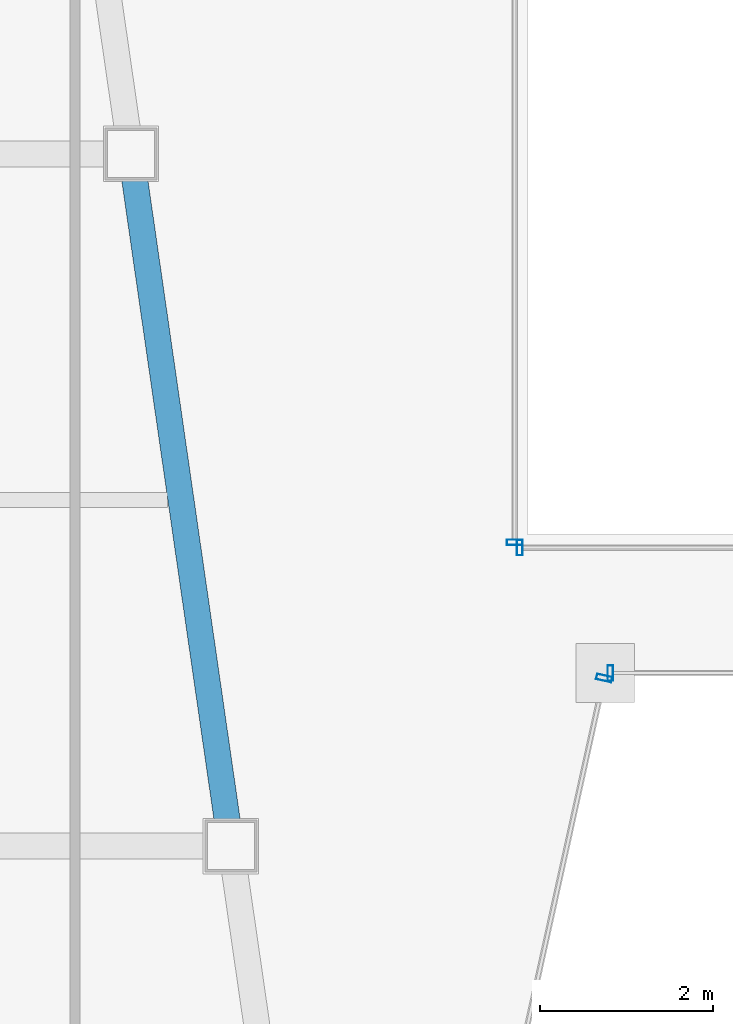
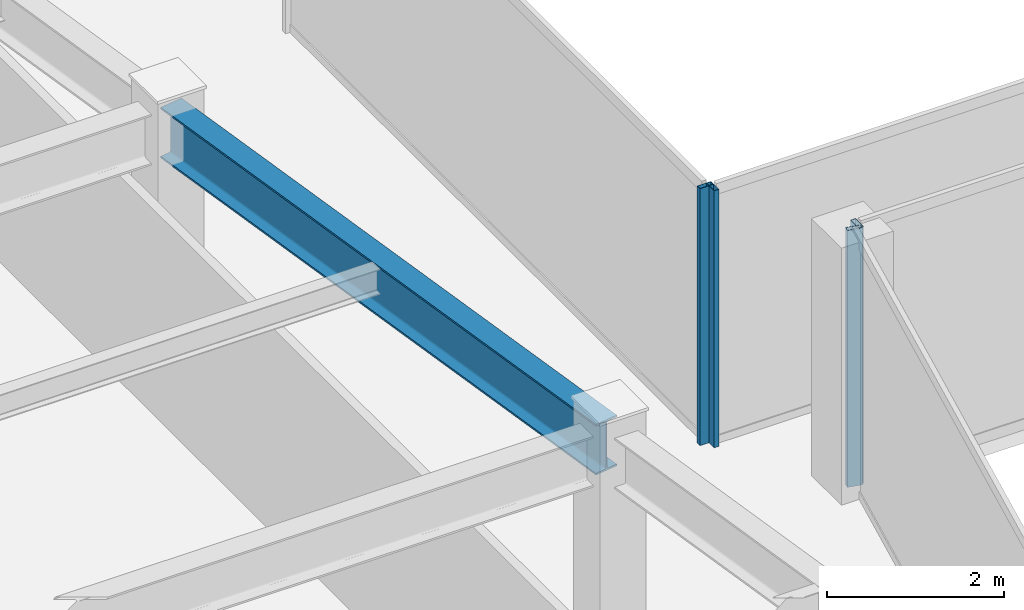
# One storey, part 6 of 35: 4 members, 1 beam, 4 elements without a shape of their own.
"""IFC4 building model written with IfcOpenShell, lengths in metres."""

import ifcopenshell
import ifcopenshell.guid

model = None  # the IFC model being written
_history = None  # IfcOwnerHistory: only IFC2X3 demands one
_inside = {}  # id of a spatial element -> (the spatial element, [elements in it])
_under = {}  # id of a project, library or spatial element -> (it, [spatial elements below it])
_declared = {}  # id of a project -> (the project, [libraries it declares])
_typed = {}  # id of a type object -> (the type object, [elements of that type])
_made_of = {}  # id of a material, layer set ... -> (it, [elements and type objects made of it])


def new_model(schema):
    """Start an empty IFC model of exactly this schema.

    Asked for "IFC4X3", IfcOpenShell would pick the latest addendum, in which some entities
    have other attributes; the version numbers below select the first issue.
    IFC2X3 requires an IfcOwnerHistory on every rooted entity: one is made here for all.
    """
    global model, _history
    if schema == "IFC4X3":
        model = ifcopenshell.file(schema_version=(4, 3, 0, 0))
    else:
        model = ifcopenshell.file(schema=schema)
    _inside.clear()
    _under.clear()
    _declared.clear()
    _typed.clear()
    _made_of.clear()
    _history = None
    if model.schema == "IFC2X3":
        org = make("IfcOrganization", Name="unknown")
        user = make(
            "IfcPersonAndOrganization",
            ThePerson=make("IfcPerson", FamilyName="unknown"),
            TheOrganization=org,
        )
        app = make(
            "IfcApplication",
            ApplicationDeveloper=org,
            Version="unknown",
            ApplicationFullName="unknown",
            ApplicationIdentifier="unknown",
        )
        _history = make(
            "IfcOwnerHistory",
            OwningUser=user,
            OwningApplication=app,
            ChangeAction="ADDED",
            CreationDate=0,
        )
    return model


def make(cls, **values):
    """One entity of the class cls with the attributes given. An attribute that is None is left unset."""
    return model.create_entity(
        cls, **{name: value for name, value in values.items() if value is not None}
    )


def rooted(cls, **values):
    """An entity with a GlobalId (a new one), such as an element, a storey or a relation."""
    return make(cls, GlobalId=ifcopenshell.guid.new(), OwnerHistory=_history, **values)


def si_unit(unit_type, name, prefix=None):
    """IfcSIUnit, for example si_unit("LENGTHUNIT", "METRE", prefix="MILLI")."""
    return make("IfcSIUnit", UnitType=unit_type, Prefix=prefix, Name=name)


def assignment(units):
    """IfcUnitAssignment: the units of a project."""
    return None if units is None else make("IfcUnitAssignment", Units=units)


def point(xyz):
    """IfcCartesianPoint."""
    return None if xyz is None else make("IfcCartesianPoint", Coordinates=xyz)


def direction(xyz):
    """IfcDirection."""
    return None if xyz is None else make("IfcDirection", DirectionRatios=xyz)


def frame(location, z_axis=None, x_axis=None):
    """IfcAxis2Placement3D, a coordinate frame: its origin and axes. An axis left out is left unset."""
    return make(
        "IfcAxis2Placement3D",
        Location=point(location),
        Axis=direction(z_axis),
        RefDirection=direction(x_axis),
    )


def frame_2d(location, x_axis=None):
    """IfcAxis2Placement2D, a coordinate frame in the plane: its origin and x axis."""
    return make(
        "IfcAxis2Placement2D", Location=point(location), RefDirection=direction(x_axis)
    )


def origin():
    """The frame at (0, 0, 0) with its axes left unset."""
    return frame((0.0, 0.0, 0.0))


def origin_2d():
    """The frame at (0, 0) in the plane with its x axis left unset."""
    return frame_2d((0.0, 0.0))


def place(relative_to, where):
    """IfcLocalPlacement: puts the frame where relative to a parent placement (None: the world)."""
    return make(
        "IfcLocalPlacement", PlacementRelTo=relative_to, RelativePlacement=where
    )


def context(
    kind, dimensions, precision=None, world=None, true_north=None, identifier=None
):
    """IfcGeometricRepresentationContext, for example the 3D "Model" context."""
    return make(
        "IfcGeometricRepresentationContext",
        ContextIdentifier=identifier,
        ContextType=kind,
        CoordinateSpaceDimension=dimensions,
        Precision=precision,
        WorldCoordinateSystem=world,
        TrueNorth=true_north,
    )


def subcontext(parent, identifier, kind, view, scale=None):
    """IfcGeometricRepresentationSubContext, for example "Body" below "Model"."""
    return make(
        "IfcGeometricRepresentationSubContext",
        ContextIdentifier=identifier,
        ContextType=kind,
        ParentContext=parent,
        TargetScale=scale,
        TargetView=view,
    )


def project(units=None, contexts=None):
    """IfcProject with its units and contexts."""
    return rooted(
        "IfcProject",
        Name="project",
        RepresentationContexts=contexts,
        UnitsInContext=assignment(units),
    )


def spatial(cls, under=None, at=None, **own):
    """A site, building, storey or space (cls), placed at a placement, below another one or the project."""
    s = rooted(cls, ObjectPlacement=at, **own)
    if under is not None:
        _under.setdefault(under.id(), (under, []))[1].append(s)
    return s


def profile(cls, at=None, kind="AREA", **sizes):
    """A parametric profile (cls). Its sizes go by their IFC names, for example OverallWidth=200.0."""
    return make(cls, ProfileType=kind, Position=at, **sizes)


def hollow_rectangle(**sizes):
    """IfcRectangleHollowProfileDef."""
    return profile("IfcRectangleHollowProfileDef", **sizes)


def i_section(**sizes):
    """IfcIShapeProfileDef."""
    return profile("IfcIShapeProfileDef", **sizes)


def extrude(swept, where, along, depth):
    """IfcExtrudedAreaSolid: the profile swept, set in the frame where, extruded along a direction by depth."""
    return make(
        "IfcExtrudedAreaSolid",
        SweptArea=swept,
        Position=where,
        ExtrudedDirection=direction(along),
        Depth=depth,
    )


def shape(context_of_items, identifier, shape_type, items):
    """IfcShapeRepresentation: the items that make up one representation, for example the "Body"."""
    return make(
        "IfcShapeRepresentation",
        ContextOfItems=context_of_items,
        RepresentationIdentifier=identifier,
        RepresentationType=shape_type,
        Items=items,
    )


def material(Name=None, Category=None):
    """IfcMaterial."""
    return make("IfcMaterial", Name=Name, Category=Category)


def material_profile(
    of_material, cross_section, Name=None, Category=None, Priority=None
):
    """IfcMaterialProfile: a cross section and its material."""
    return make(
        "IfcMaterialProfile",
        Name=Name,
        Material=of_material,
        Profile=cross_section,
        Priority=Priority,
        Category=Category,
    )


def profile_set(profiles, Name=None, composite=None):
    """IfcMaterialProfileSet."""
    return make(
        "IfcMaterialProfileSet",
        Name=Name,
        MaterialProfiles=profiles,
        CompositeProfile=composite,
    )


def made_of(thing, what):
    """Note that an element or type object is made of a material, layer set ...; save() writes the relation."""
    if what is not None:
        _made_of.setdefault(what.id(), (what, []))[1].append(thing)
    return thing


def type_object(cls, material=None, **own):
    """A type object (cls), such as IfcWallType, which elements share."""
    return made_of(rooted(cls, **own), material)


def element(
    cls,
    number,
    at=None,
    inside=None,
    cuts=None,
    type_object=None,
    material=None,
    context=None,
    identifier="Body",
    shape_type=None,
    held_by="IfcProductDefinitionShape",
    body=None,
    shapes=None,
    **own,
):
    """One element of the class cls, such as IfcWall. Its Tag is "e" and its number.

    at: its placement. inside: the storey or other place that contains it. cuts: it is an
    opening in that element (IfcRelVoidsElement). A single representation is given by context,
    identifier, shape_type and body (its items); several are given by shapes. held_by: the class
    of the entity that holds the representations. save() writes the other relations.
    """
    e = rooted(cls, Tag="e%d" % number, ObjectPlacement=at, **own)
    if body is not None:
        shapes = [shape(context, identifier, shape_type, body)]
    if shapes is not None:
        e.Representation = make(held_by, Representations=shapes)
    if inside is not None:
        _inside.setdefault(inside.id(), (inside, []))[1].append(e)
    if cuts is not None:
        rooted(
            "IfcRelVoidsElement", RelatingBuildingElement=cuts, RelatedOpeningElement=e
        )
    if type_object is not None:
        _typed.setdefault(type_object.id(), (type_object, []))[1].append(e)
    return made_of(e, material)


def aggregate(whole, parts):
    """IfcRelAggregates: a whole, such as a stair, and the parts it consists of."""
    return rooted("IfcRelAggregates", RelatingObject=whole, RelatedObjects=parts)


def save(model, path):
    """Write the relations noted so far, then the file.

    IfcRelAggregates (storeys below a building ...), IfcRelContainedInSpatialStructure (elements
    in a storey), IfcRelDefinesByType, IfcRelAssociatesMaterial and IfcRelDeclares: one each for
    every whole, place, type object, material and project.
    """
    for whole, parts in _under.values():
        aggregate(whole, parts)
    for where, things in _inside.values():
        rooted(
            "IfcRelContainedInSpatialStructure",
            RelatedElements=things,
            RelatingStructure=where,
        )
    for kind, things in _typed.values():
        rooted("IfcRelDefinesByType", RelatedObjects=things, RelatingType=kind)
    for what, things in _made_of.values():
        rooted("IfcRelAssociatesMaterial", RelatedObjects=things, RelatingMaterial=what)
    for by, libraries in _declared.values():
        rooted("IfcRelDeclares", RelatingContext=by, RelatedDefinitions=libraries)
    model.write(path)


model = new_model("IFC4")

# Units and contexts
model_context = context("Model", 3, precision=1e-05, world=origin(), true_north=direction((0.0, 1.0)))
body_context = subcontext(model_context, "Body", "Model", "MODEL_VIEW")
ifc_project = project(units=[si_unit("LENGTHUNIT", "METRE"), si_unit("AREAUNIT", "SQUARE_METRE"), si_unit("VOLUMEUNIT", "CUBIC_METRE"), si_unit("PLANEANGLEUNIT", "RADIAN"), si_unit("MASSUNIT", "GRAM", prefix="KILO")], contexts=[model_context])

# Site, building, storey
site_placement = place(None, origin())
site = spatial("IfcSite", under=ifc_project, at=site_placement, CompositionType="ELEMENT")
building_placement = place(site_placement, origin())
building = spatial("IfcBuilding", under=site, at=building_placement, Name="Saevonmaru Cultural Tower", CompositionType="ELEMENT")
storey_placement = place(building_placement, frame((0.0, 0.0, 179.0)))
storey = spatial("IfcBuildingStorey", under=building, at=storey_placement, Name="L40", CompositionType="ELEMENT", Elevation=179.0)

# Beam
ifc_material_1 = material(Name="Steel SM355", Category="steel")
ifc_material_profile_1 = material_profile(ifc_material_1, i_section(OverallWidth=0.300048828125, OverallDepth=0.699951171875, WebThickness=0.012939453125, FlangeThickness=0.02392578125, FilletRadius=0.02587890625, at=origin_2d()), Name="H-700x300x13x24")
ifc_profile_set_1 = profile_set([ifc_material_profile_1], Name="Steel SM355")
beam_type = type_object("IfcBeamType", Name="BM-G-H700", PredefinedType="BEAM", material=ifc_profile_set_1)
beam_placement = place(storey_placement, frame((20.763427734375, 24.059326171875, 3.199951171875), z_axis=(-0.142902032203, 0.989736838353, 0.0), x_axis=(-0.989736838353, -0.142902032203, 0.0)))
element("IfcBeam", 1, at=beam_placement, inside=storey, type_object=beam_type, Name="L40 West Atrium Girder 2", PredefinedType="BEAM", context=body_context, shape_type="SweptSolid", body=[
    extrude(i_section(OverallWidth=0.300048828125, OverallDepth=0.699951171875, WebThickness=0.012939453125, FlangeThickness=0.02392578125, FilletRadius=0.02587890625, at=origin_2d()), origin(), (0.0, 0.0, 1.0), 7.963134765625),
])

# Curtain wall, member
ifc_material_2 = material(Name="Satin Bronze Anodised Aluminium", Category="aluminium")
curtain_wall_type_1 = type_object("IfcCurtainWallType", Name="CW-TYP-B", PredefinedType="NOTDEFINED", material=ifc_material_2)
curtain_wall_1_placement = place(storey_placement, origin())
curtain_wall_1 = element("IfcCurtainWall", 2, at=curtain_wall_1_placement, inside=storey, type_object=curtain_wall_type_1, Name="L40 Unitised Curtain Wall E3", PredefinedType="NOTDEFINED")
ifc_material_profile_2 = material_profile(ifc_material_2, hollow_rectangle(XDim=0.06494140625, YDim=0.179931640625, WallThickness=0.00390625, at=origin_2d()), Name="ALU-MULL-180x65x4")
ifc_profile_set_2 = profile_set([ifc_material_profile_2], Name="Satin Bronze Anodised Aluminium")
member_type_1 = type_object("IfcMemberType", Name="ML-CW-180x65", PredefinedType="MULLION", material=ifc_profile_set_2)
member_1_placement = place(storey_placement, frame((25.0849609375, 25.94140625, 0.0), z_axis=(0.0, 0.0, 1.0), x_axis=(0.215413319953, 0.976522965212, 0.0)))
member_1 = element("IfcMember", 3, at=member_1_placement, type_object=member_type_1, Name="CW-TW-L40-E3 mullion 2", PredefinedType="MULLION", context=body_context, shape_type="SweptSolid", body=[
    extrude(hollow_rectangle(XDim=0.06494140625, YDim=0.179931640625, WallThickness=0.00390625, at=origin_2d()), origin(), (0.0, 0.0, 1.0), 3.550048828125),
])
aggregate(curtain_wall_1, [member_1])

curtain_wall_2_placement = place(storey_placement, origin())
curtain_wall_2 = element("IfcCurtainWall", 4, at=curtain_wall_2_placement, inside=storey, type_object=curtain_wall_type_1, Name="L40 Unitised Curtain Wall E4", PredefinedType="NOTDEFINED")
member_2_placement = place(storey_placement, frame((25.15771484375, 26.0, 0.0), z_axis=(0.0, 0.0, 1.0), x_axis=(1.0, 0.0, 0.0)))
member_2 = element("IfcMember", 5, at=member_2_placement, type_object=member_type_1, Name="CW-TW-L40-E4 mullion 1", PredefinedType="MULLION", context=body_context, shape_type="SweptSolid", body=[
    extrude(hollow_rectangle(XDim=0.06494140625, YDim=0.179931640625, WallThickness=0.00390625, at=origin_2d()), origin(), (0.0, 0.0, 1.0), 3.550048828125),
])
aggregate(curtain_wall_2, [member_2])

curtain_wall_type_2 = type_object("IfcCurtainWallType", Name="CW-ATR-GLZ", PredefinedType="NOTDEFINED", material=ifc_material_2)
curtain_wall_3_placement = place(storey_placement, origin())
curtain_wall_3 = element("IfcCurtainWall", 6, at=curtain_wall_3_placement, inside=storey, type_object=curtain_wall_type_2, Name="L40 Vertical Atrium Glazed Smoke Screen 1", PredefinedType="NOTDEFINED")
ifc_material_profile_3 = material_profile(ifc_material_2, hollow_rectangle(XDim=0.06494140625, YDim=0.179931640625, WallThickness=0.00390625, at=origin_2d()), Name="ALU-MULL-180x65x4")
ifc_profile_set_3 = profile_set([ifc_material_profile_3], Name="Satin Bronze Anodised Aluminium")
member_type_2 = type_object("IfcMemberType", Name="ML-CW-INT-180x65", PredefinedType="MULLION", material=ifc_profile_set_3)
member_3_placement = place(storey_placement, frame((24.110107421875, 27.449951171875, 0.0), z_axis=(0.0, 0.0, 1.0), x_axis=(1.0, 0.0, 0.0)))
member_3 = element("IfcMember", 7, at=member_3_placement, type_object=member_type_2, Name="CW-ATR-L40-1 mullion 1", PredefinedType="MULLION", context=body_context, shape_type="SweptSolid", body=[
    extrude(hollow_rectangle(XDim=0.06494140625, YDim=0.179931640625, WallThickness=0.00390625, at=origin_2d()), origin(), (0.0, 0.0, 1.0), 3.550048828125),
])
aggregate(curtain_wall_3, [member_3])

curtain_wall_4_placement = place(storey_placement, origin())
curtain_wall_4 = element("IfcCurtainWall", 8, at=curtain_wall_4_placement, inside=storey, type_object=curtain_wall_type_2, Name="L40 Vertical Atrium Glazed Smoke Screen 4", PredefinedType="NOTDEFINED")
member_4_placement = place(storey_placement, frame((24.050048828125, 27.510009765625, 0.0), z_axis=(0.0, 0.0, 1.0), x_axis=(0.0, -1.0, 0.0)))
member_4 = element("IfcMember", 9, at=member_4_placement, type_object=member_type_2, Name="CW-ATR-L40-4 mullion 2", PredefinedType="MULLION", context=body_context, shape_type="SweptSolid", body=[
    extrude(hollow_rectangle(XDim=0.06494140625, YDim=0.179931640625, WallThickness=0.00390625, at=origin_2d()), origin(), (0.0, 0.0, 1.0), 3.550048828125),
])
aggregate(curtain_wall_4, [member_4])

save(model, "model.ifc")
